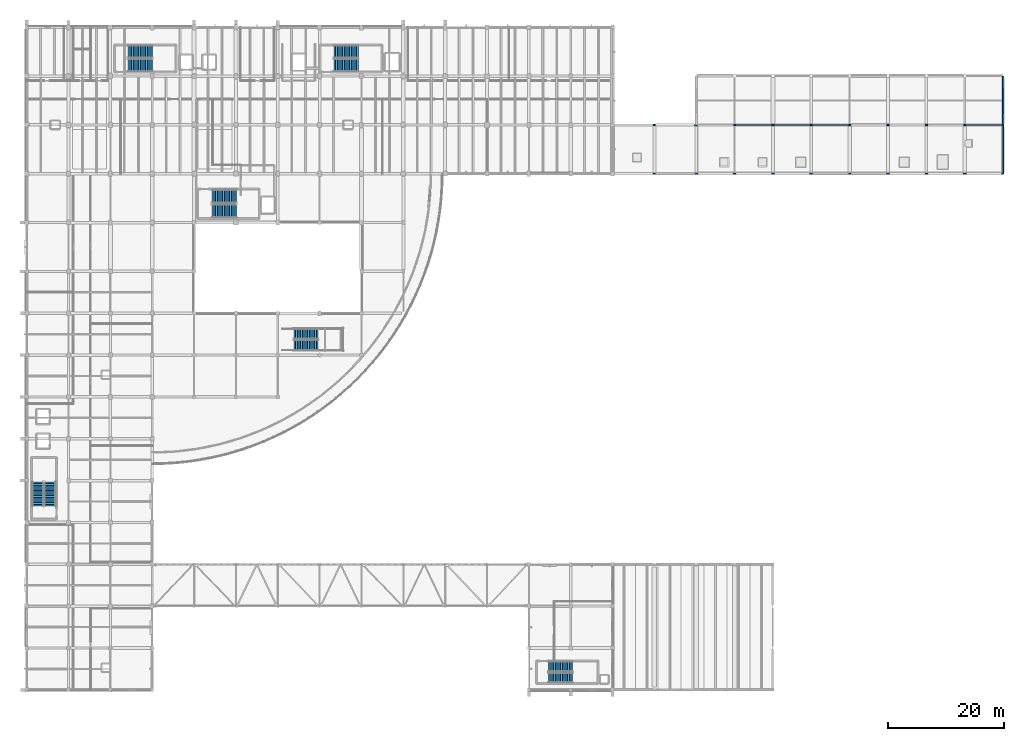
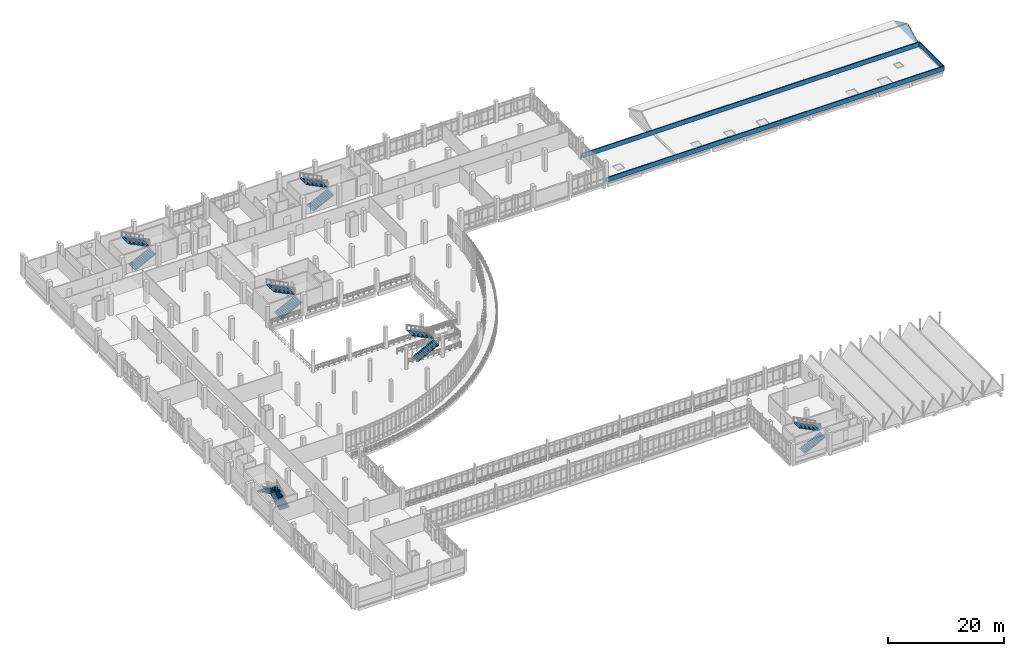
# One storey, part 113 of 124: 12 stair flights, 4 walls, 6 elements without a shape of their own.
"""IFC4 building model written with IfcOpenShell, lengths in metres."""

from ifc_helpers import new_model, si_unit, direction, frame, frame_2d, origin, place, context, subcontext, project, spatial, polyline, rectangle, outline, extrude, material, layer, layer_set, type_object, element, aggregate, save


model = new_model("IFC4")

# Units and contexts
model_context = context("Model", 3, precision=1e-05, world=origin(), true_north=direction((0.0, 1.0)))
body_context = subcontext(model_context, "Body", "Model", "MODEL_VIEW")
ifc_project = project(units=[si_unit("LENGTHUNIT", "METRE"), si_unit("AREAUNIT", "SQUARE_METRE"), si_unit("VOLUMEUNIT", "CUBIC_METRE"), si_unit("PLANEANGLEUNIT", "RADIAN"), si_unit("MASSUNIT", "GRAM", prefix="KILO")], contexts=[model_context])

# Site, building, storey
site_placement = place(None, origin())
site = spatial("IfcSite", under=ifc_project, at=site_placement, CompositionType="ELEMENT")
building_placement = place(site_placement, origin())
building = spatial("IfcBuilding", under=site, at=building_placement, Name="Kalluvel Institute of Natural Sciences", CompositionType="ELEMENT")
storey_placement = place(building_placement, frame((0.0, 0.0, 9.89990234375)))
storey = spatial("IfcBuildingStorey", under=building, at=storey_placement, Name="L02", CompositionType="ELEMENT", Elevation=9.89990234375)

# Walls
ifc_material_1 = material(Name="Sadarahalli Grey Granite Ashlar Concrete M40", Category="masonry")
ifc_layer_1 = layer(ifc_material_1, 0.280029296875)
ifc_layer_set_1 = layer_set([ifc_layer_1], Name="Sadarahalli Grey Granite Ashlar Concrete M40")
wall_type_1 = type_object("IfcWallType", Name="WL-GABLE-280", PredefinedType="SOLIDWALL", material=ifc_layer_set_1)
wall_1_placement = place(storey_placement, frame((182.0, 111.199951171875, 0.0), z_axis=(0.0, 0.0, 1.0), x_axis=(0.0, 1.0, 0.0)))
element("IfcWall", 1, at=wall_1_placement, inside=storey, type_object=wall_type_1, Name="L02 Cleanroom East Gothic gable wall", PredefinedType="SOLIDWALL", context=body_context, shape_type="SweptSolid", body=[
    extrude(outline(polyline([(0.0, 0.0), (8.400146484375, 0.0), (8.39990234375, 0.150146484375), (4.199951171875, 2.18017578125), (0.0, 0.150146484375), (0.0, 0.0)])), frame((0.0, 0.14013671875, 0.0), z_axis=(0.0, -1.0, 0.0), x_axis=(1.0, 0.0, 0.0)), (0.0, 0.0, 1.0), 0.280029296875),
])
ifc_layer_2 = layer(ifc_material_1, 0.199951171875)
ifc_layer_set_2 = layer_set([ifc_layer_2], Name="Sadarahalli Grey Granite Ashlar Concrete M40")
wall_type_2 = type_object("IfcWallType", Name="WL-PAR-200", PredefinedType="PARAPET", material=ifc_layer_set_2)
wall_2_placement = place(storey_placement, frame((114.800048828125, 102.800048828125, 0.0), z_axis=(0.0, 0.0, 1.0), x_axis=(1.0, 0.0, 0.0)))
element("IfcWall", 2, at=wall_2_placement, inside=storey, type_object=wall_type_2, Name="L02 maintenance roof stone parapet 24", PredefinedType="PARAPET", context=body_context, shape_type="SweptSolid", body=[
    extrude(rectangle(XDim=67.199951171875, YDim=0.199951171875, at=frame_2d((33.60009765625, 0.0))), origin(), (0.0, 0.0, 1.0), 0.9501953125),
])
wall_3_placement = place(storey_placement, frame((182.0, 102.800048828125, 0.0), z_axis=(0.0, 0.0, 1.0), x_axis=(0.0, 1.0, 0.0)))
element("IfcWall", 3, at=wall_3_placement, inside=storey, type_object=wall_type_2, Name="L02 maintenance roof stone parapet 25", PredefinedType="PARAPET", context=body_context, shape_type="SweptSolid", body=[
    extrude(rectangle(XDim=8.39990234375, YDim=0.199951171875, at=frame_2d((4.199951171875, 0.0))), origin(), (0.0, 0.0, 1.0), 0.9501953125),
])
wall_4_placement = place(storey_placement, frame((182.0, 111.199951171875, 0.0), z_axis=(0.0, 0.0, 1.0), x_axis=(-1.0, 0.0, 0.0)))
element("IfcWall", 4, at=wall_4_placement, inside=storey, type_object=wall_type_2, Name="L02 maintenance roof stone parapet 26", PredefinedType="PARAPET", context=body_context, shape_type="SweptSolid", body=[
    extrude(rectangle(XDim=67.199951171875, YDim=0.199951171875, at=frame_2d((33.60009765625, 0.0))), origin(), (0.0, 0.0, 1.0), 0.9501953125),
])

# Stair, stair flights
ifc_material_2 = material(Name="Concrete M40", Category="concrete")
stair_type_1 = type_object("IfcStairType", Name="STR-ST12-45", PredefinedType="HALF_TURN_STAIR", material=ifc_material_2)
stair_1_placement = place(storey_placement, origin())
stair_1 = element("IfcStair", 5, at=stair_1_placement, inside=storey, type_object=stair_type_1, Name="L02 Wet Wing West Protected Exit Stair ST1", PredefinedType="HALF_TURN_STAIR")
stair_flight_type_1 = type_object("IfcStairFlightType", Name="STF-ST12-45", PredefinedType="STRAIGHT", material=ifc_material_2)
stair_flight_1_placement = place(storey_placement, frame((31.449951171875, 121.47998046875, 0.0), z_axis=(0.0, 0.0, 1.0), x_axis=(1.0, 0.0, 0.0)))
stair_flight_1 = element("IfcStairFlight", 6, at=stair_flight_1_placement, type_object=stair_flight_type_1, Name="S1-45 flight 1", NumberOfRisers=15, NumberOfTreads=14, PredefinedType="STRAIGHT", RiserHeight=0.15, TreadLength=0.3, context=body_context, shape_type="SweptSolid", body=[
    extrude(outline(polyline([(0.0, 0.0), (0.0, 0.14990234375), (0.300048828125, 0.14990234375), (0.300048828125, 0.300048828125), (0.60009765625, 0.300048828125), (0.60009765625, 0.449951171875), (0.89990234375, 0.449951171875), (0.89990234375, 0.60009765625), (1.199951171875, 0.60009765625), (1.199951171875, 0.75), (1.5, 0.75), (1.5, 0.89990234375), (1.800048828125, 0.89990234375), (1.800048828125, 1.050048828125), (2.10009765625, 1.050048828125), (2.10009765625, 1.199951171875), (2.39990234375, 1.199951171875), (2.39990234375, 1.35009765625), (2.699951171875, 1.35009765625), (2.699951171875, 1.5), (3.0, 1.5), (3.0, 1.64990234375), (3.300048828125, 1.64990234375), (3.300048828125, 1.800048828125), (3.60009765625, 1.800048828125), (3.60009765625, 1.949951171875), (3.89990234375, 1.949951171875), (3.89990234375, 2.10009765625), (4.199951171875, 2.10009765625), (4.199951171875, 2.25), (4.199951171875, 1.932373046875), (0.335205078125, 0.0), (0.0, 0.0)])), frame((0.0, 1.080078125, 0.0), z_axis=(0.0, -1.0, 0.0), x_axis=(1.0, 0.0, 0.0)), (0.0, 0.0, 1.0), 2.159912109375),
])
stair_flight_2_placement = place(storey_placement, frame((35.64990234375, 123.7900390625, 2.25), z_axis=(0.0, 0.0, 1.0), x_axis=(-1.0, 0.0, 0.0)))
stair_flight_2 = element("IfcStairFlight", 7, at=stair_flight_2_placement, type_object=stair_flight_type_1, Name="S1-45 flight 2", NumberOfRisers=15, NumberOfTreads=14, PredefinedType="STRAIGHT", RiserHeight=0.15, TreadLength=0.3, context=body_context, shape_type="SweptSolid", body=[
    extrude(outline(polyline([(0.0, 0.0), (0.0, 0.14990234375), (0.300048828125, 0.14990234375), (0.300048828125, 0.300048828125), (0.60009765625, 0.300048828125), (0.60009765625, 0.449951171875), (0.89990234375, 0.449951171875), (0.89990234375, 0.60009765625), (1.199951171875, 0.60009765625), (1.199951171875, 0.75), (1.5, 0.75), (1.5, 0.89990234375), (1.800048828125, 0.89990234375), (1.800048828125, 1.050048828125), (2.10009765625, 1.050048828125), (2.10009765625, 1.199951171875), (2.39990234375, 1.199951171875), (2.39990234375, 1.35009765625), (2.699951171875, 1.35009765625), (2.699951171875, 1.5), (3.0, 1.5), (3.0, 1.64990234375), (3.300048828125, 1.64990234375), (3.300048828125, 1.800048828125), (3.60009765625, 1.800048828125), (3.60009765625, 1.949951171875), (3.89990234375, 1.949951171875), (3.89990234375, 2.10009765625), (4.199951171875, 2.10009765625), (4.199951171875, 2.25), (4.199951171875, 1.932373046875), (0.335205078125, 0.0), (0.0, 0.0)])), frame((0.0, 1.080078125, 0.0), z_axis=(0.0, -1.0, 0.0), x_axis=(1.0, 0.0, 0.0)), (0.0, 0.0, 1.0), 2.159912109375),
])
aggregate(stair_1, [stair_flight_1, stair_flight_2])

stair_2_placement = place(storey_placement, origin())
stair_2 = element("IfcStair", 8, at=stair_2_placement, inside=storey, type_object=stair_type_1, Name="L02 Wet Wing East Protected Exit Stair ST2", PredefinedType="HALF_TURN_STAIR")
stair_flight_3_placement = place(storey_placement, frame((66.85009765625, 121.47998046875, 0.0), z_axis=(0.0, 0.0, 1.0), x_axis=(1.0, 0.0, 0.0)))
stair_flight_3 = element("IfcStairFlight", 9, at=stair_flight_3_placement, type_object=stair_flight_type_1, Name="S1-45 flight 1", NumberOfRisers=15, NumberOfTreads=14, PredefinedType="STRAIGHT", RiserHeight=0.15, TreadLength=0.3, context=body_context, shape_type="SweptSolid", body=[
    extrude(outline(polyline([(0.0, 0.0), (0.0, 0.14990234375), (0.300048828125, 0.14990234375), (0.300048828125, 0.300048828125), (0.60009765625, 0.300048828125), (0.60009765625, 0.449951171875), (0.89990234375, 0.449951171875), (0.89990234375, 0.60009765625), (1.199951171875, 0.60009765625), (1.199951171875, 0.75), (1.5, 0.75), (1.5, 0.89990234375), (1.800048828125, 0.89990234375), (1.800048828125, 1.050048828125), (2.10009765625, 1.050048828125), (2.10009765625, 1.199951171875), (2.39990234375, 1.199951171875), (2.39990234375, 1.35009765625), (2.699951171875, 1.35009765625), (2.699951171875, 1.5), (3.0, 1.5), (3.0, 1.64990234375), (3.300048828125, 1.64990234375), (3.300048828125, 1.800048828125), (3.60009765625, 1.800048828125), (3.60009765625, 1.949951171875), (3.89990234375, 1.949951171875), (3.89990234375, 2.10009765625), (4.199951171875, 2.10009765625), (4.199951171875, 2.25), (4.199951171875, 1.932373046875), (0.335205078125, 0.0), (0.0, 0.0)])), frame((0.0, 1.080078125, 0.0), z_axis=(0.0, -1.0, 0.0), x_axis=(1.0, 0.0, 0.0)), (0.0, 0.0, 1.0), 2.159912109375),
])
stair_flight_4_placement = place(storey_placement, frame((71.050048828125, 123.7900390625, 2.25), z_axis=(0.0, 0.0, 1.0), x_axis=(-1.0, 0.0, 0.0)))
stair_flight_4 = element("IfcStairFlight", 10, at=stair_flight_4_placement, type_object=stair_flight_type_1, Name="S1-45 flight 2", NumberOfRisers=15, NumberOfTreads=14, PredefinedType="STRAIGHT", RiserHeight=0.15, TreadLength=0.3, context=body_context, shape_type="SweptSolid", body=[
    extrude(outline(polyline([(0.0, 0.0), (0.0, 0.14990234375), (0.300048828125, 0.14990234375), (0.300048828125, 0.300048828125), (0.60009765625, 0.300048828125), (0.60009765625, 0.449951171875), (0.89990234375, 0.449951171875), (0.89990234375, 0.60009765625), (1.199951171875, 0.60009765625), (1.199951171875, 0.75), (1.5, 0.75), (1.5, 0.89990234375), (1.800048828125, 0.89990234375), (1.800048828125, 1.050048828125), (2.10009765625, 1.050048828125), (2.10009765625, 1.199951171875), (2.39990234375, 1.199951171875), (2.39990234375, 1.35009765625), (2.699951171875, 1.35009765625), (2.699951171875, 1.5), (3.0, 1.5), (3.0, 1.64990234375), (3.300048828125, 1.64990234375), (3.300048828125, 1.800048828125), (3.60009765625, 1.800048828125), (3.60009765625, 1.949951171875), (3.89990234375, 1.949951171875), (3.89990234375, 2.10009765625), (4.199951171875, 2.10009765625), (4.199951171875, 2.25), (4.199951171875, 1.932373046875), (0.335205078125, 0.0), (0.0, 0.0)])), frame((0.0, 1.080078125, 0.0), z_axis=(0.0, -1.0, 0.0), x_axis=(1.0, 0.0, 0.0)), (0.0, 0.0, 1.0), 2.159912109375),
])
aggregate(stair_2, [stair_flight_3, stair_flight_4])

stair_type_2 = type_object("IfcStairType", Name="STR-ST3-45", PredefinedType="HALF_TURN_STAIR", material=ifc_material_2)
stair_3_placement = place(storey_placement, origin())
stair_3 = element("IfcStair", 11, at=stair_3_placement, inside=storey, type_object=stair_type_2, Name="L02 Central Fire-Tower Protected Stair ST3", PredefinedType="HALF_TURN_STAIR")
stair_flight_type_2 = type_object("IfcStairFlightType", Name="STF-ST3-45", PredefinedType="STRAIGHT", material=ifc_material_2)
stair_flight_5_placement = place(storey_placement, frame((45.89990234375, 96.3798828125, 0.0), z_axis=(0.0, 0.0, 1.0), x_axis=(1.0, 0.0, 0.0)))
stair_flight_5 = element("IfcStairFlight", 12, at=stair_flight_5_placement, type_object=stair_flight_type_2, Name="S3-45 flight 1", NumberOfRisers=15, NumberOfTreads=14, PredefinedType="STRAIGHT", RiserHeight=0.15, TreadLength=0.3, context=body_context, shape_type="SweptSolid", body=[
    extrude(outline(polyline([(0.0, 0.0), (0.0, 0.14990234375), (0.300048828125, 0.14990234375), (0.300048828125, 0.300048828125), (0.60009765625, 0.300048828125), (0.60009765625, 0.449951171875), (0.89990234375, 0.449951171875), (0.89990234375, 0.60009765625), (1.199951171875, 0.60009765625), (1.199951171875, 0.75), (1.5, 0.75), (1.5, 0.89990234375), (1.800048828125, 0.89990234375), (1.800048828125, 1.050048828125), (2.10009765625, 1.050048828125), (2.10009765625, 1.199951171875), (2.39990234375, 1.199951171875), (2.39990234375, 1.35009765625), (2.699951171875, 1.35009765625), (2.699951171875, 1.5), (3.0, 1.5), (3.0, 1.64990234375), (3.300048828125, 1.64990234375), (3.300048828125, 1.800048828125), (3.60009765625, 1.800048828125), (3.60009765625, 1.949951171875), (3.89990234375, 1.949951171875), (3.89990234375, 2.10009765625), (4.199951171875, 2.10009765625), (4.199951171875, 2.25), (4.199951171875, 1.932373046875), (0.335205078125, 0.0), (0.0, 0.0)])), frame((0.0, 1.18017578125, 0.0), z_axis=(0.0, -1.0, 0.0), x_axis=(1.0, 0.0, 0.0)), (0.0, 0.0, 1.0), 2.360107421875),
])
stair_flight_6_placement = place(storey_placement, frame((50.10009765625, 98.889892578125, 2.25), z_axis=(0.0, 0.0, 1.0), x_axis=(-1.0, 0.0, 0.0)))
stair_flight_6 = element("IfcStairFlight", 13, at=stair_flight_6_placement, type_object=stair_flight_type_2, Name="S3-45 flight 2", NumberOfRisers=15, NumberOfTreads=14, PredefinedType="STRAIGHT", RiserHeight=0.15, TreadLength=0.3, context=body_context, shape_type="SweptSolid", body=[
    extrude(outline(polyline([(0.0, 0.0), (0.0, 0.14990234375), (0.300048828125, 0.14990234375), (0.300048828125, 0.300048828125), (0.60009765625, 0.300048828125), (0.60009765625, 0.449951171875), (0.89990234375, 0.449951171875), (0.89990234375, 0.60009765625), (1.199951171875, 0.60009765625), (1.199951171875, 0.75), (1.5, 0.75), (1.5, 0.89990234375), (1.800048828125, 0.89990234375), (1.800048828125, 1.050048828125), (2.10009765625, 1.050048828125), (2.10009765625, 1.199951171875), (2.39990234375, 1.199951171875), (2.39990234375, 1.35009765625), (2.699951171875, 1.35009765625), (2.699951171875, 1.5), (3.0, 1.5), (3.0, 1.64990234375), (3.300048828125, 1.64990234375), (3.300048828125, 1.800048828125), (3.60009765625, 1.800048828125), (3.60009765625, 1.949951171875), (3.89990234375, 1.949951171875), (3.89990234375, 2.10009765625), (4.199951171875, 2.10009765625), (4.199951171875, 2.25), (4.199951171875, 1.932373046875), (0.335205078125, 0.0), (0.0, 0.0)])), frame((0.0, 1.18017578125, 0.0), z_axis=(0.0, -1.0, 0.0), x_axis=(1.0, 0.0, 0.0)), (0.0, 0.0, 1.0), 2.360107421875),
])
aggregate(stair_3, [stair_flight_5, stair_flight_6])

stair_type_3 = type_object("IfcStairType", Name="STR-ST4-45", PredefinedType="HALF_TURN_STAIR", material=ifc_material_2)
stair_4_placement = place(storey_placement, origin())
stair_4 = element("IfcStair", 14, at=stair_4_placement, inside=storey, type_object=stair_type_3, Name="L02 Dry Wing Protected Exit Stair ST4", PredefinedType="HALF_TURN_STAIR")
stair_flight_type_3 = type_object("IfcStairFlightType", Name="STF-ST4-45", PredefinedType="STRAIGHT", material=ifc_material_2)
stair_flight_7_placement = place(storey_placement, frame((18.02001953125, 45.60009765625, 0.0), z_axis=(0.0, 0.0, 1.0), x_axis=(0.0, 1.0, 0.0)))
stair_flight_7 = element("IfcStairFlight", 15, at=stair_flight_7_placement, type_object=stair_flight_type_3, Name="S4-45 flight 1", NumberOfRisers=15, NumberOfTreads=14, PredefinedType="STRAIGHT", RiserHeight=0.15, TreadLength=0.3, context=body_context, shape_type="SweptSolid", body=[
    extrude(outline(polyline([(0.0, 0.0), (0.0, 0.14990234375), (0.300048828125, 0.14990234375), (0.300048828125, 0.300048828125), (0.60009765625, 0.300048828125), (0.60009765625, 0.449951171875), (0.89990234375, 0.449951171875), (0.89990234375, 0.60009765625), (1.199951171875, 0.60009765625), (1.199951171875, 0.75), (1.5, 0.75), (1.5, 0.89990234375), (1.800048828125, 0.89990234375), (1.800048828125, 1.050048828125), (2.10009765625, 1.050048828125), (2.10009765625, 1.199951171875), (2.39990234375, 1.199951171875), (2.39990234375, 1.35009765625), (2.699951171875, 1.35009765625), (2.699951171875, 1.5), (3.0, 1.5), (3.0, 1.64990234375), (3.300048828125, 1.64990234375), (3.300048828125, 1.800048828125), (3.60009765625, 1.800048828125), (3.60009765625, 1.949951171875), (3.89990234375, 1.949951171875), (3.89990234375, 2.10009765625), (4.199951171875, 2.10009765625), (4.199951171875, 2.25), (4.199951171875, 1.932373046875), (0.335205078125, 0.0), (0.0, 0.0)])), frame((0.0, 0.97998046875, 0.0), z_axis=(0.0, -1.0, 0.0), x_axis=(1.0, 0.0, 0.0)), (0.0, 0.0, 1.0), 1.9599609375),
])
stair_flight_8_placement = place(storey_placement, frame((15.909912109375, 49.800048828125, 2.25), z_axis=(0.0, 0.0, 1.0), x_axis=(0.0, -1.0, 0.0)))
stair_flight_8 = element("IfcStairFlight", 16, at=stair_flight_8_placement, type_object=stair_flight_type_3, Name="S4-45 flight 2", NumberOfRisers=15, NumberOfTreads=14, PredefinedType="STRAIGHT", RiserHeight=0.15, TreadLength=0.3, context=body_context, shape_type="SweptSolid", body=[
    extrude(outline(polyline([(0.0, 0.0), (0.0, 0.14990234375), (0.300048828125, 0.14990234375), (0.300048828125, 0.300048828125), (0.60009765625, 0.300048828125), (0.60009765625, 0.449951171875), (0.89990234375, 0.449951171875), (0.89990234375, 0.60009765625), (1.199951171875, 0.60009765625), (1.199951171875, 0.75), (1.5, 0.75), (1.5, 0.89990234375), (1.800048828125, 0.89990234375), (1.800048828125, 1.050048828125), (2.10009765625, 1.050048828125), (2.10009765625, 1.199951171875), (2.39990234375, 1.199951171875), (2.39990234375, 1.35009765625), (2.699951171875, 1.35009765625), (2.699951171875, 1.5), (3.0, 1.5), (3.0, 1.64990234375), (3.300048828125, 1.64990234375), (3.300048828125, 1.800048828125), (3.60009765625, 1.800048828125), (3.60009765625, 1.949951171875), (3.89990234375, 1.949951171875), (3.89990234375, 2.10009765625), (4.199951171875, 2.10009765625), (4.199951171875, 2.25), (4.199951171875, 1.932373046875), (0.335205078125, 0.0), (0.0, 0.0)])), frame((0.0, 0.97998046875, 0.0), z_axis=(0.0, -1.0, 0.0), x_axis=(1.0, 0.0, 0.0)), (0.0, 0.0, 1.0), 1.9599609375),
])
aggregate(stair_4, [stair_flight_7, stair_flight_8])

stair_type_4 = type_object("IfcStairType", Name="STR-ST5-45", PredefinedType="HALF_TURN_STAIR", material=ifc_material_2)
stair_5_placement = place(storey_placement, origin())
stair_5 = element("IfcStair", 17, at=stair_5_placement, inside=storey, type_object=stair_type_4, Name="L02 East Commons and Lecture Hub Protected Exit Stair ST7", PredefinedType="HALF_TURN_STAIR")
stair_flight_type_4 = type_object("IfcStairFlightType", Name="STF-ST5-45", PredefinedType="STRAIGHT", material=ifc_material_2)
stair_flight_9_placement = place(storey_placement, frame((103.75, 16.080078125, 0.0), z_axis=(0.0, 0.0, 1.0), x_axis=(1.0, 0.0, 0.0)))
stair_flight_9 = element("IfcStairFlight", 18, at=stair_flight_9_placement, type_object=stair_flight_type_4, Name="S5-45 flight 1", NumberOfRisers=15, NumberOfTreads=14, PredefinedType="STRAIGHT", RiserHeight=0.15, TreadLength=0.3, context=body_context, shape_type="SweptSolid", body=[
    extrude(outline(polyline([(0.0, 0.0), (0.0, 0.14990234375), (0.300048828125, 0.14990234375), (0.300048828125, 0.300048828125), (0.60009765625, 0.300048828125), (0.60009765625, 0.449951171875), (0.89990234375, 0.449951171875), (0.89990234375, 0.60009765625), (1.199951171875, 0.60009765625), (1.199951171875, 0.75), (1.5, 0.75), (1.5, 0.89990234375), (1.800048828125, 0.89990234375), (1.800048828125, 1.050048828125), (2.10009765625, 1.050048828125), (2.10009765625, 1.199951171875), (2.39990234375, 1.199951171875), (2.39990234375, 1.35009765625), (2.699951171875, 1.35009765625), (2.699951171875, 1.5), (3.0, 1.5), (3.0, 1.64990234375), (3.300048828125, 1.64990234375), (3.300048828125, 1.800048828125), (3.60009765625, 1.800048828125), (3.60009765625, 1.949951171875), (3.89990234375, 1.949951171875), (3.89990234375, 2.10009765625), (4.199951171875, 2.10009765625), (4.199951171875, 2.25), (4.199951171875, 1.932373046875), (0.335205078125, 0.0), (0.0, 0.0)])), frame((0.0, 0.8798828125, 0.0), z_axis=(0.0, -1.0, 0.0), x_axis=(1.0, 0.0, 0.0)), (0.0, 0.0, 1.0), 1.760009765625),
])
stair_flight_10_placement = place(storey_placement, frame((107.949951171875, 17.989990234375, 2.25), z_axis=(0.0, 0.0, 1.0), x_axis=(-1.0, 0.0, 0.0)))
stair_flight_10 = element("IfcStairFlight", 19, at=stair_flight_10_placement, type_object=stair_flight_type_4, Name="S5-45 flight 2", NumberOfRisers=15, NumberOfTreads=14, PredefinedType="STRAIGHT", RiserHeight=0.15, TreadLength=0.3, context=body_context, shape_type="SweptSolid", body=[
    extrude(outline(polyline([(0.0, 0.0), (0.0, 0.14990234375), (0.300048828125, 0.14990234375), (0.300048828125, 0.300048828125), (0.60009765625, 0.300048828125), (0.60009765625, 0.449951171875), (0.89990234375, 0.449951171875), (0.89990234375, 0.60009765625), (1.199951171875, 0.60009765625), (1.199951171875, 0.75), (1.5, 0.75), (1.5, 0.89990234375), (1.800048828125, 0.89990234375), (1.800048828125, 1.050048828125), (2.10009765625, 1.050048828125), (2.10009765625, 1.199951171875), (2.39990234375, 1.199951171875), (2.39990234375, 1.35009765625), (2.699951171875, 1.35009765625), (2.699951171875, 1.5), (3.0, 1.5), (3.0, 1.64990234375), (3.300048828125, 1.64990234375), (3.300048828125, 1.800048828125), (3.60009765625, 1.800048828125), (3.60009765625, 1.949951171875), (3.89990234375, 1.949951171875), (3.89990234375, 2.10009765625), (4.199951171875, 2.10009765625), (4.199951171875, 2.25), (4.199951171875, 1.932373046875), (0.335205078125, 0.0), (0.0, 0.0)])), frame((0.0, 0.8798828125, 0.0), z_axis=(0.0, -1.0, 0.0), x_axis=(1.0, 0.0, 0.0)), (0.0, 0.0, 1.0), 1.760009765625),
])
aggregate(stair_5, [stair_flight_9, stair_flight_10])

stair_type_5 = type_object("IfcStairType", Name="STR-ST6-45", PredefinedType="HALF_TURN_STAIR", material=ifc_material_2)
stair_6_placement = place(storey_placement, origin())
stair_6 = element("IfcStair", 20, at=stair_6_placement, inside=storey, type_object=stair_type_5, Name="L02 Interaction Atrium Feature Stair ST6", PredefinedType="HALF_TURN_STAIR")
stair_flight_type_5 = type_object("IfcStairFlightType", Name="STF-ST6-45", PredefinedType="STRAIGHT", material=ifc_material_2)
stair_flight_11_placement = place(storey_placement, frame((59.949951171875, 73.300048828125, 0.0), z_axis=(0.0, 0.0, 1.0), x_axis=(1.0, 0.0, 0.0)))
stair_flight_11 = element("IfcStairFlight", 21, at=stair_flight_11_placement, type_object=stair_flight_type_5, Name="S6-45 flight 1", NumberOfRisers=15, NumberOfTreads=14, PredefinedType="STRAIGHT", RiserHeight=0.15, TreadLength=0.3, context=body_context, shape_type="SweptSolid", body=[
    extrude(outline(polyline([(0.0, 0.0), (0.0, 0.14990234375), (0.300048828125, 0.14990234375), (0.300048828125, 0.300048828125), (0.60009765625, 0.300048828125), (0.60009765625, 0.449951171875), (0.89990234375, 0.449951171875), (0.89990234375, 0.60009765625), (1.199951171875, 0.60009765625), (1.199951171875, 0.75), (1.5, 0.75), (1.5, 0.89990234375), (1.800048828125, 0.89990234375), (1.800048828125, 1.050048828125), (2.10009765625, 1.050048828125), (2.10009765625, 1.199951171875), (2.39990234375, 1.199951171875), (2.39990234375, 1.35009765625), (2.699951171875, 1.35009765625), (2.699951171875, 1.5), (3.0, 1.5), (3.0, 1.64990234375), (3.300048828125, 1.64990234375), (3.300048828125, 1.800048828125), (3.60009765625, 1.800048828125), (3.60009765625, 1.949951171875), (3.89990234375, 1.949951171875), (3.89990234375, 2.10009765625), (4.199951171875, 2.10009765625), (4.199951171875, 2.25), (4.199951171875, 1.932373046875), (0.335205078125, 0.0), (0.0, 0.0)])), frame((0.0, 0.89990234375, 0.0), z_axis=(0.0, -1.0, 0.0), x_axis=(1.0, 0.0, 0.0)), (0.0, 0.0, 1.0), 1.800048828125),
])
stair_flight_12_placement = place(storey_placement, frame((64.14990234375, 75.25, 2.25), z_axis=(0.0, 0.0, 1.0), x_axis=(-1.0, 0.0, 0.0)))
stair_flight_12 = element("IfcStairFlight", 22, at=stair_flight_12_placement, type_object=stair_flight_type_5, Name="S6-45 flight 2", NumberOfRisers=15, NumberOfTreads=14, PredefinedType="STRAIGHT", RiserHeight=0.15, TreadLength=0.3, context=body_context, shape_type="SweptSolid", body=[
    extrude(outline(polyline([(0.0, 0.0), (0.0, 0.14990234375), (0.300048828125, 0.14990234375), (0.300048828125, 0.300048828125), (0.60009765625, 0.300048828125), (0.60009765625, 0.449951171875), (0.89990234375, 0.449951171875), (0.89990234375, 0.60009765625), (1.199951171875, 0.60009765625), (1.199951171875, 0.75), (1.5, 0.75), (1.5, 0.89990234375), (1.800048828125, 0.89990234375), (1.800048828125, 1.050048828125), (2.10009765625, 1.050048828125), (2.10009765625, 1.199951171875), (2.39990234375, 1.199951171875), (2.39990234375, 1.35009765625), (2.699951171875, 1.35009765625), (2.699951171875, 1.5), (3.0, 1.5), (3.0, 1.64990234375), (3.300048828125, 1.64990234375), (3.300048828125, 1.800048828125), (3.60009765625, 1.800048828125), (3.60009765625, 1.949951171875), (3.89990234375, 1.949951171875), (3.89990234375, 2.10009765625), (4.199951171875, 2.10009765625), (4.199951171875, 2.25), (4.199951171875, 1.932373046875), (0.335205078125, 0.0), (0.0, 0.0)])), frame((0.0, 0.89990234375, 0.0), z_axis=(0.0, -1.0, 0.0), x_axis=(1.0, 0.0, 0.0)), (0.0, 0.0, 1.0), 1.800048828125),
])
aggregate(stair_6, [stair_flight_11, stair_flight_12])

save(model, "model.ifc")
